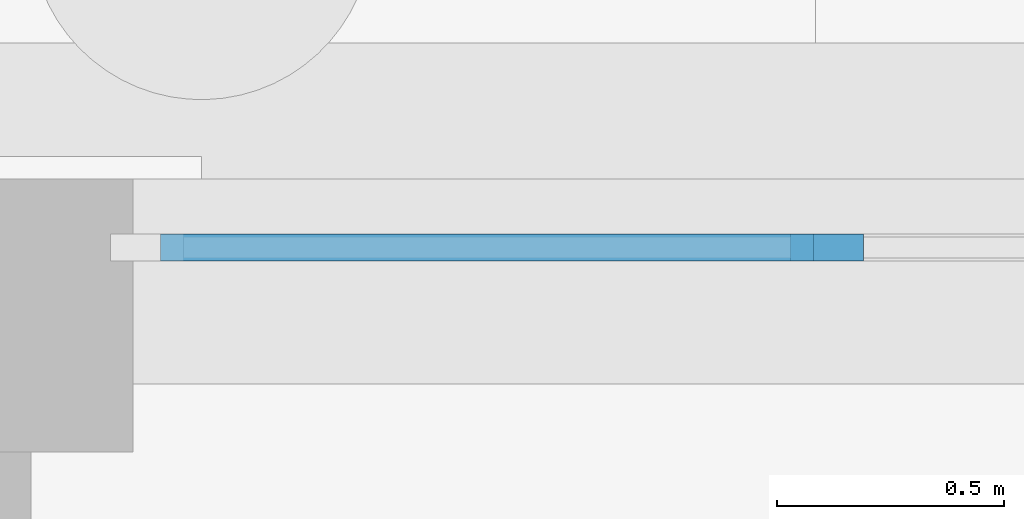
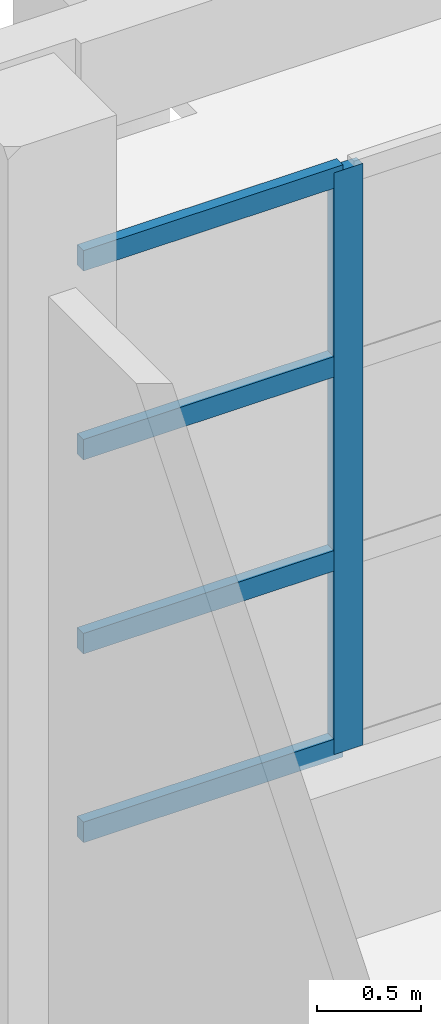
# One storey, part 15 of 80: 5 members, 1 element without a shape of its own.
"""IFC4 building model written with IfcOpenShell, lengths in metres."""

from ifc_helpers import new_model, si_unit, direction, frame, origin, origin_2d, place, context, subcontext, project, spatial, rectangle, extrude, material, layer, layer_set, material_profile, profile_set, type_object, element, aggregate, save


model = new_model("IFC4")

# Units and contexts
model_context = context("Model", 3, precision=1e-05, world=origin(), true_north=direction((0.0, 1.0)))
body_context = subcontext(model_context, "Body", "Model", "MODEL_VIEW")
ifc_project = project(units=[si_unit("LENGTHUNIT", "METRE"), si_unit("AREAUNIT", "SQUARE_METRE"), si_unit("VOLUMEUNIT", "CUBIC_METRE"), si_unit("PLANEANGLEUNIT", "RADIAN"), si_unit("MASSUNIT", "GRAM", prefix="KILO")], contexts=[model_context])

# Site, building, storey
site_placement = place(None, origin())
site = spatial("IfcSite", under=ifc_project, at=site_placement, CompositionType="ELEMENT")
building_placement = place(site_placement, origin())
building = spatial("IfcBuilding", under=site, at=building_placement, Name="Ussher Court Research Institute", CompositionType="ELEMENT")
storey_placement = place(building_placement, origin())
storey = spatial("IfcBuildingStorey", under=building, at=storey_placement, Name="L00", CompositionType="ELEMENT", Elevation=0.0)

# Curtain wall, members
ifc_material_1 = material(Name="Bronze anodised aluminium with acoustic laminated glass", Category="aluminium")
ifc_layer = layer(ifc_material_1, 0.1201171875)
ifc_layer_set = layer_set([ifc_layer], Name="Bronze anodised aluminium with acoustic laminated glass")
curtain_wall_type = type_object("IfcCurtainWallType", Name="Curtain wall reading link court front ground floor", PredefinedType="NOTDEFINED", material=ifc_layer_set)
curtain_wall_placement = place(storey_placement, origin())
curtain_wall = element("IfcCurtainWall", 1, at=curtain_wall_placement, inside=storey, type_object=curtain_wall_type, Name="Curtain wall CW6 L00", PredefinedType="NOTDEFINED")
ifc_material_2 = material(Name="Bronze anodised aluminium", Category="aluminium")
ifc_material_profile_1 = material_profile(ifc_material_2, rectangle(XDim=0.06005859375, YDim=0.159912109375, at=origin_2d()), Name="Mullion 60x160")
ifc_profile_set_1 = profile_set([ifc_material_profile_1], Name="Bronze anodised aluminium")
member_type_1 = type_object("IfcMemberType", Name="Mullion 60x160", PredefinedType="MULLION", material=ifc_profile_set_1)
member_1_placement = place(storey_placement, frame((66.02490234375, 40.25, 0.89990234375), z_axis=(0.0, 0.0, 1.0), x_axis=(0.0, 1.0, 0.0)))
member_1 = element("IfcMember", 2, at=member_1_placement, type_object=member_type_1, Name="CW6 mullion 2", PredefinedType="MULLION", context=body_context, shape_type="SweptSolid", body=[
    extrude(rectangle(XDim=0.06005859375, YDim=0.159912109375, at=origin_2d()), origin(), (0.0, 0.0, 1.0), 3.400146484375),
])
ifc_material_3 = material(Name="Bronze anodised aluminium", Category="aluminium")
ifc_material_profile_2 = material_profile(ifc_material_3, rectangle(XDim=0.06005859375, YDim=0.1201171875, at=origin_2d()), Name="Transom 60x120")
ifc_profile_set_2 = profile_set([ifc_material_profile_2], Name="Bronze anodised aluminium")
member_type_2 = type_object("IfcMemberType", Name="Transom 60x120", PredefinedType="USERDEFINED", material=ifc_profile_set_2)
member_2_placement = place(storey_placement, frame((64.56005859375, 40.25, 0.929931640625), z_axis=(1.0, 0.0, 0.0), x_axis=(0.0, 1.0, 0.0)))
member_2 = element("IfcMember", 3, at=member_2_placement, type_object=member_type_2, Name="CW6 transom 1.1", ObjectType="TRANSOM", PredefinedType="USERDEFINED", context=body_context, shape_type="SweptSolid", body=[
    extrude(rectangle(XDim=0.06005859375, YDim=0.1201171875, at=origin_2d()), origin(), (0.0, 0.0, 1.0), 1.43505859375),
])
member_3_placement = place(storey_placement, frame((64.56005859375, 40.25, 2.033203125), z_axis=(1.0, 0.0, 0.0), x_axis=(0.0, 1.0, 0.0)))
member_3 = element("IfcMember", 4, at=member_3_placement, type_object=member_type_2, Name="CW6 transom 1.2", ObjectType="TRANSOM", PredefinedType="USERDEFINED", context=body_context, shape_type="SweptSolid", body=[
    extrude(rectangle(XDim=0.06005859375, YDim=0.1201171875, at=origin_2d()), origin(), (0.0, 0.0, 1.0), 1.43505859375),
])
member_4_placement = place(storey_placement, frame((64.56005859375, 40.25, 3.166748046875), z_axis=(1.0, 0.0, 0.0), x_axis=(0.0, 1.0, 0.0)))
member_4 = element("IfcMember", 5, at=member_4_placement, type_object=member_type_2, Name="CW6 transom 1.3", ObjectType="TRANSOM", PredefinedType="USERDEFINED", context=body_context, shape_type="SweptSolid", body=[
    extrude(rectangle(XDim=0.06005859375, YDim=0.1201171875, at=origin_2d()), origin(), (0.0, 0.0, 1.0), 1.43505859375),
])
member_5_placement = place(storey_placement, frame((64.56005859375, 40.25, 4.27001953125), z_axis=(1.0, 0.0, 0.0), x_axis=(0.0, 1.0, 0.0)))
member_5 = element("IfcMember", 6, at=member_5_placement, type_object=member_type_2, Name="CW6 transom 1.4", ObjectType="TRANSOM", PredefinedType="USERDEFINED", context=body_context, shape_type="SweptSolid", body=[
    extrude(rectangle(XDim=0.06005859375, YDim=0.1201171875, at=origin_2d()), origin(), (0.0, 0.0, 1.0), 1.43505859375),
])
aggregate(curtain_wall, [member_1, member_2, member_3, member_4, member_5])

save(model, "model.ifc")
